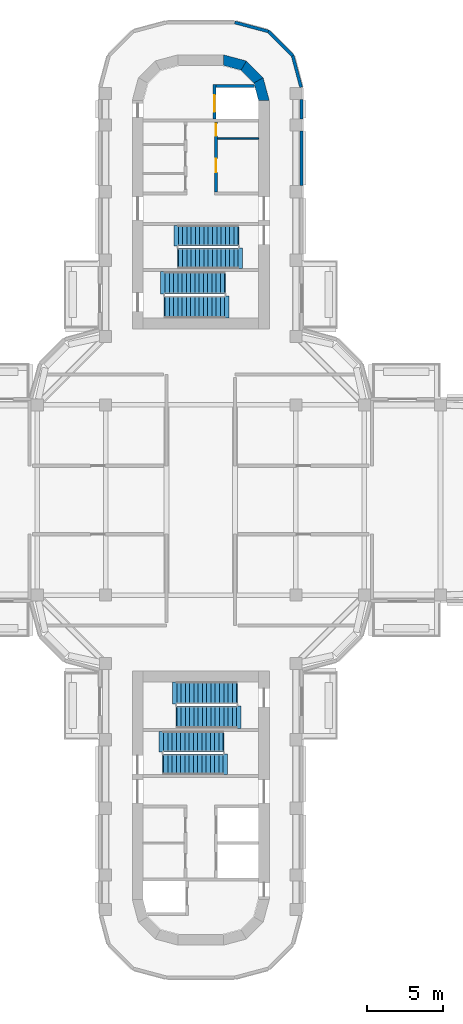
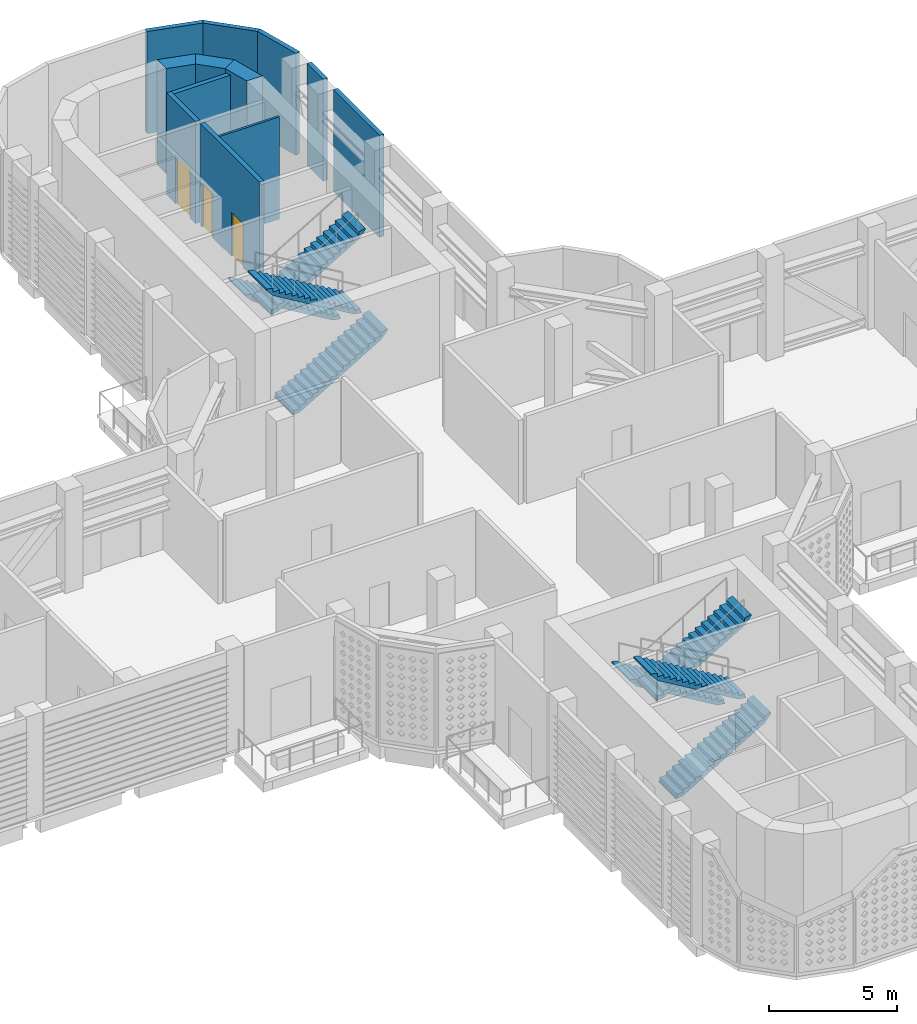
# One storey, part 8 of 21: 12 walls, 8 stair flights, 3 doors, 3 openings, 4 elements without a shape of their own.
"""IFC4 building model written with IfcOpenShell, lengths in metres."""

from ifc_helpers import new_model, si_unit, direction, frame, frame_2d, origin, place, context, subcontext, project, spatial, polyline, rectangle, outline, extrude, material, layer, layer_set, type_object, element, fill, aggregate, save


model = new_model("IFC4")

# Units and contexts
model_context = context("Model", 3, precision=1e-05, world=origin(), true_north=direction((0.0, 1.0)))
body_context = subcontext(model_context, "Body", "Model", "MODEL_VIEW")
ifc_project = project(units=[si_unit("LENGTHUNIT", "METRE"), si_unit("AREAUNIT", "SQUARE_METRE"), si_unit("VOLUMEUNIT", "CUBIC_METRE"), si_unit("PLANEANGLEUNIT", "RADIAN"), si_unit("MASSUNIT", "GRAM", prefix="KILO")], contexts=[model_context])

# Site, building, storey
site_placement = place(None, origin())
site = spatial("IfcSite", under=ifc_project, at=site_placement, CompositionType="ELEMENT")
building_placement = place(site_placement, origin())
building = spatial("IfcBuilding", under=site, at=building_placement, Name="Zarbagh Exchange Tower", CompositionType="ELEMENT")
storey_placement = place(building_placement, frame((0.0, 0.0, 190.39990234375)))
storey = spatial("IfcBuildingStorey", under=building, at=storey_placement, Name="L46", CompositionType="ELEMENT", Elevation=190.39990234375)

# Walls
ifc_material_1 = material(Name="Dense blockwork", Category="masonry")
ifc_layer_1 = layer(ifc_material_1, 0.10009765625)
ifc_layer_set_1 = layer_set([ifc_layer_1], Name="Core partition 100 mm blockwork")
wall_type_1 = type_object("IfcWallType", Name="Core partition 100 mm blockwork", PredefinedType="PARTITIONING", material=ifc_layer_set_1)
wall_1_placement = place(storey_placement, frame((1.10009765625, 23.75, 0.0), z_axis=(0.0, 0.0, 1.0), x_axis=(1.0, 0.0, 0.0)))
element("IfcWall", 1, at=wall_1_placement, inside=storey, type_object=wall_type_1, Name="North core partition wall CUT-E-460", PredefinedType="PARTITIONING", context=body_context, shape_type="SweptSolid", body=[
    extrude(rectangle(XDim=2.699951171875, YDim=0.10009765625, at=frame_2d((1.35009765625, 0.0))), origin(), (0.0, 0.0, 1.0), 4.85009765625),
])
ifc_material_2 = material(Name="Precast concrete C50/60", Category="concrete")
ifc_layer_2 = layer(ifc_material_2, 0.199951171875)
ifc_layer_set_2 = layer_set([ifc_layer_2], Name="Plant wall, precast concrete C50/60")
wall_type_2 = type_object("IfcWallType", Name="Plant wall, precast concrete C50/60", PredefinedType="SOLIDWALL", material=ifc_layer_set_2)
wall_2_placement = place(storey_placement, origin())
element("IfcWall", 2, at=wall_2_placement, inside=storey, type_object=wall_type_2, Name="PW58 plant wall", PredefinedType="SOLIDWALL", context=body_context, shape_type="SweptSolid", body=[
    extrude(outline(polyline([(6.72998046875, 20.64990234375), (6.72998046875, 24.25), (6.530029296875, 24.25), (6.530029296875, 20.64990234375), (6.72998046875, 20.64990234375)])), origin(), (0.0, 0.0, 1.0), 4.85009765625),
])
wall_3_placement = place(storey_placement, origin())
element("IfcWall", 3, at=wall_3_placement, inside=storey, type_object=wall_type_2, Name="PW58 plant wall", PredefinedType="SOLIDWALL", context=body_context, shape_type="SweptSolid", body=[
    extrude(outline(polyline([(6.72998046875, 25.050048828125), (6.72998046875, 26.300048828125), (6.530029296875, 26.300048828125), (6.530029296875, 25.050048828125), (6.72998046875, 25.050048828125)])), origin(), (0.0, 0.0, 1.0), 4.85009765625),
])
wall_4_placement = place(storey_placement, origin())
element("IfcWall", 4, at=wall_4_placement, inside=storey, type_object=wall_type_2, Name="PW59 plant wall", PredefinedType="SOLIDWALL", context=body_context, shape_type="SweptSolid", body=[
    extrude(outline(polyline([(6.6884765625, 27.15234375), (6.129150390625, 29.23974609375), (5.949951171875, 29.13623046875), (6.495361328125, 27.1005859375), (6.6884765625, 27.15234375)])), origin(), (0.0, 0.0, 1.0), 4.85009765625),
])
wall_5_placement = place(storey_placement, origin())
element("IfcWall", 5, at=wall_5_placement, inside=storey, type_object=wall_type_2, Name="PW60 plant wall", PredefinedType="SOLIDWALL", context=body_context, shape_type="SweptSolid", body=[
    extrude(outline(polyline([(6.129150390625, 29.23974609375), (4.48974609375, 30.879150390625), (4.38623046875, 30.699951171875), (5.949951171875, 29.13623046875), (6.129150390625, 29.23974609375)])), origin(), (0.0, 0.0, 1.0), 4.85009765625),
])
wall_6_placement = place(storey_placement, origin())
element("IfcWall", 6, at=wall_6_placement, inside=storey, type_object=wall_type_2, Name="PW61 plant wall", PredefinedType="SOLIDWALL", context=body_context, shape_type="SweptSolid", body=[
    extrude(outline(polyline([(4.48974609375, 30.879150390625), (2.247314453125, 31.47998046875), (2.220947265625, 31.280029296875), (4.38623046875, 30.699951171875), (4.48974609375, 30.879150390625)])), origin(), (0.0, 0.0, 1.0), 4.85009765625),
])
ifc_material_3 = material(Name="Concrete C50/60", Category="concrete")
ifc_layer_3 = layer(ifc_material_3, 0.699951171875)
ifc_layer_set_3 = layer_set([ifc_layer_3], Name="RC core corner wall 700 C50/60")
wall_type_3 = type_object("IfcWallType", Name="RC core corner wall 700 C50/60", PredefinedType="SHEAR", material=ifc_layer_set_3)
wall_7_placement = place(storey_placement, origin())
element("IfcWall", 7, at=wall_7_placement, inside=storey, type_object=wall_type_3, Name="CW6 core N corner E", PredefinedType="SHEAR", context=body_context, shape_type="SweptSolid", body=[
    extrude(outline(polyline([(4.5, 26.25), (4.09814453125, 27.75), (3.491943359375, 27.39990234375), (3.800048828125, 26.25), (4.5, 26.25)])), origin(), (0.0, 0.0, 1.0), 5.0),
])
wall_8_placement = place(storey_placement, origin())
element("IfcWall", 8, at=wall_8_placement, inside=storey, type_object=wall_type_3, Name="CW6 core N corner E", PredefinedType="SHEAR", context=body_context, shape_type="SweptSolid", body=[
    extrude(outline(polyline([(4.09814453125, 27.75), (3.0, 28.84814453125), (2.64990234375, 28.241943359375), (3.491943359375, 27.39990234375), (4.09814453125, 27.75)])), origin(), (0.0, 0.0, 1.0), 5.0),
])
wall_9_placement = place(storey_placement, origin())
element("IfcWall", 9, at=wall_9_placement, inside=storey, type_object=wall_type_3, Name="CW6 core N corner E", PredefinedType="SHEAR", context=body_context, shape_type="SweptSolid", body=[
    extrude(outline(polyline([(3.0, 28.84814453125), (1.5, 29.25), (1.5, 28.550048828125), (2.64990234375, 28.241943359375), (3.0, 28.84814453125)])), origin(), (0.0, 0.0, 1.0), 5.0),
])

# Wall, openings, doors
ifc_layer_4 = layer(ifc_material_1, 0.199951171875)
ifc_layer_set_4 = layer_set([ifc_layer_4], Name="Shaft wall 200 mm blockwork")
wall_type_4 = type_object("IfcWallType", Name="Shaft wall 200 mm blockwork", PredefinedType="PARTITIONING", material=ifc_layer_set_4)
wall_10_placement = place(storey_placement, frame((1.0, 24.85009765625, 0.0), z_axis=(0.0, 0.0, 1.0), x_axis=(0.0, -1.0, 0.0)))
wall_10 = element("IfcWall", 10, at=wall_10_placement, inside=storey, type_object=wall_type_4, Name="North core shaft wall LW-E", PredefinedType="PARTITIONING", context=body_context, shape_type="SweptSolid", body=[
    extrude(rectangle(XDim=4.60009765625, YDim=0.199951171875, at=frame_2d((2.300048828125, 0.0))), origin(), (0.0, 0.0, 1.0), 4.85009765625),
])
opening_1_placement = place(wall_10_placement, frame((0.125, 0.0, 0.0)))
opening_1 = element("IfcOpeningElement", 11, at=opening_1_placement, cuts=wall_10, Name="Opening CD3-800", PredefinedType="OPENING", context=body_context, shape_type="SweptSolid", body=[
    extrude(rectangle(XDim=0.800048828125, YDim=2.10009765625, at=frame_2d((0.39990234375, 1.050048828125))), frame((0.0, 0.10986328125, 0.0), z_axis=(0.0, -1.0, 0.0), x_axis=(1.0, 0.0, 0.0)), (0.0, 0.0, 1.0), 0.219970703125),
])
opening_2_placement = place(wall_10_placement, frame((2.425048828125, 0.0, 0.0)))
opening_2 = element("IfcOpeningElement", 12, at=opening_2_placement, cuts=wall_10, Name="Opening CD3-900", PredefinedType="OPENING", context=body_context, shape_type="SweptSolid", body=[
    extrude(rectangle(XDim=0.89990234375, YDim=2.10009765625, at=frame_2d((0.449951171875, 1.050048828125))), frame((0.0, 0.10986328125, 0.0), z_axis=(0.0, -1.0, 0.0), x_axis=(1.0, 0.0, 0.0)), (0.0, 0.0, 1.0), 0.219970703125),
])
ifc_material_4 = material(Name="Steel", Category="steel")
door_type_1 = type_object("IfcDoorType", Name="Core room door 800 x 2100", OperationType="NOTDEFINED", PredefinedType="DOOR", material=ifc_material_4)
door_1_placement = place(opening_1_placement, origin())
door_1 = element("IfcDoor", 13, at=door_1_placement, inside=storey, type_object=door_type_1, Name="North core Plant room door RD-E-0", OperationType="SINGLE_SWING_LEFT", OverallHeight=2.10009765625, OverallWidth=0.800048828125, PredefinedType="DOOR", context=body_context, shape_type="SweptSolid", body=[
    extrude(rectangle(XDim=0.800048828125, YDim=2.10009765625, at=frame_2d((0.39990234375, 1.050048828125))), frame((0.0, 0.02490234375, 0.0), z_axis=(0.0, -1.0, 0.0), x_axis=(1.0, 0.0, 0.0)), (0.0, 0.0, 1.0), 0.050048828125),
])
fill(opening_1, door_1)
door_type_2 = type_object("IfcDoorType", Name="Core room door 900 x 2100", OperationType="NOTDEFINED", PredefinedType="DOOR", material=ifc_material_4)
door_2_placement = place(opening_2_placement, origin())
door_2 = element("IfcDoor", 14, at=door_2_placement, inside=storey, type_object=door_type_2, Name="North core Mechanical store door RD-E-1", OperationType="SINGLE_SWING_RIGHT", OverallHeight=2.10009765625, OverallWidth=0.89990234375, PredefinedType="DOOR", context=body_context, shape_type="SweptSolid", body=[
    extrude(rectangle(XDim=0.89990234375, YDim=2.10009765625, at=frame_2d((0.449951171875, 1.050048828125))), frame((0.0, 0.02490234375, 0.0), z_axis=(0.0, -1.0, 0.0), x_axis=(1.0, 0.0, 0.0)), (0.0, 0.0, 1.0), 0.050048828125),
])
fill(opening_2, door_2)

# Wall, opening, door
ifc_material_5 = material(Name="Concrete C40/50", Category="concrete")
ifc_layer_5 = layer(ifc_material_5, 0.199951171875)
ifc_layer_set_5 = layer_set([ifc_layer_5], Name="Stair enclosure wall 200 mm RC C40/50")
wall_type_5 = type_object("IfcWallType", Name="Stair enclosure wall 200 mm RC C40/50", PredefinedType="SHEAR", material=ifc_layer_set_5)
wall_11_placement = place(storey_placement, frame((0.89990234375, 27.300048828125, 0.0), z_axis=(0.0, 0.0, 1.0), x_axis=(0.0, -1.0, 0.0)))
wall_11 = element("IfcWall", 15, at=wall_11_placement, inside=storey, type_object=wall_type_5, Name="North core lift shaft wall FFL", PredefinedType="SHEAR", context=body_context, shape_type="SweptSolid", body=[
    extrude(rectangle(XDim=2.25, YDim=0.199951171875, at=frame_2d((1.125, 0.0))), origin(), (0.0, 0.0, 1.0), 4.85009765625),
])
opening_3_placement = place(wall_11_placement, frame((0.699951171875, 0.0, 0.0)))
opening_3 = element("IfcOpeningElement", 16, at=opening_3_placement, cuts=wall_11, Name="Opening LD-1100", PredefinedType="OPENING", context=body_context, shape_type="SweptSolid", body=[
    extrude(rectangle(XDim=1.10009765625, YDim=2.300048828125, at=frame_2d((0.550048828125, 1.14990234375))), frame((0.0, 0.10986328125, 0.0), z_axis=(0.0, -1.0, 0.0), x_axis=(1.0, 0.0, 0.0)), (0.0, 0.0, 1.0), 0.219970703125),
])
ifc_material_6 = material(Name="Stainless steel", Category="steel")
door_type_3 = type_object("IfcDoorType", Name="Lift landing door 1100 x 2300", OperationType="NOTDEFINED", PredefinedType="DOOR", material=ifc_material_6)
door_3_placement = place(opening_3_placement, origin())
door_3 = element("IfcDoor", 17, at=door_3_placement, inside=storey, type_object=door_type_3, Name="North core lift landing door LD-F", OperationType="DOUBLE_DOOR_SLIDING", OverallHeight=2.300048828125, OverallWidth=1.10009765625, PredefinedType="DOOR", context=body_context, shape_type="SweptSolid", body=[
    extrude(rectangle(XDim=1.10009765625, YDim=2.300048828125, at=frame_2d((0.550048828125, 1.14990234375))), frame((0.0, 0.02490234375, 0.0), z_axis=(0.0, -1.0, 0.0), x_axis=(1.0, 0.0, 0.0)), (0.0, 0.0, 1.0), 0.050048828125),
])
fill(opening_3, door_3)

# Wall
wall_12_placement = place(storey_placement, origin())
element("IfcWall", 18, at=wall_12_placement, inside=storey, type_object=wall_type_5, Name="North core lift shaft wall FFX", PredefinedType="SHEAR", context=body_context, shape_type="SweptSolid", body=[
    extrude(outline(polyline([(1.0, 27.10009765625), (3.547607421875, 27.10009765625), (3.493896484375, 27.300048828125), (1.0, 27.300048828125), (1.0, 27.10009765625)])), origin(), (0.0, 0.0, 1.0), 4.85009765625),
])

# Stair, stair flights
stair_type = type_object("IfcStairType", Name="Exit stair two-flight half-turn", PredefinedType="HALF_TURN_STAIR", material=ifc_material_5)
stair_1_placement = place(storey_placement, origin())
stair_1 = element("IfcStair", 19, at=stair_1_placement, inside=storey, type_object=stair_type, Name="exit stair ST1", PredefinedType="HALF_TURN_STAIR")
stair_flight_type_1 = type_object("IfcStairFlightType", Name="Stair flight 1350 mm", PredefinedType="STRAIGHT", material=ifc_material_5)
stair_flight_1_placement = place(storey_placement, frame((2.449951171875, 17.375, 0.0), z_axis=(0.0, 0.0, 1.0), x_axis=(-1.0, 0.0, 0.0)))
stair_flight_1 = element("IfcStairFlight", 20, at=stair_flight_1_placement, type_object=stair_flight_type_1, Name="ST1 flight 1", NumberOfRisers=15, NumberOfTreads=14, PredefinedType="STRAIGHT", RiserHeight=0.166666667, TreadLength=0.28, context=body_context, shape_type="SweptSolid", body=[
    extrude(outline(polyline([(-0.050048828125, -0.050048828125), (-0.050048828125, 0.0), (0.0, 0.0), (0.0, 0.166748046875), (0.280029296875, 0.166748046875), (0.280029296875, 0.333251953125), (0.56005859375, 0.333251953125), (0.56005859375, 0.5), (0.840087890625, 0.5), (0.840087890625, 0.666748046875), (1.1201171875, 0.666748046875), (1.1201171875, 0.833251953125), (1.39990234375, 0.833251953125), (1.39990234375, 1.0), (1.679931640625, 1.0), (1.679931640625, 1.166748046875), (1.9599609375, 1.166748046875), (1.9599609375, 1.333251953125), (2.239990234375, 1.333251953125), (2.239990234375, 1.5), (2.52001953125, 1.5), (2.52001953125, 1.666748046875), (2.800048828125, 1.666748046875), (2.800048828125, 1.833251953125), (3.080078125, 1.833251953125), (3.080078125, 2.0), (3.360107421875, 2.0), (3.360107421875, 2.166748046875), (3.639892578125, 2.166748046875), (3.639892578125, 2.333251953125), (3.919921875, 2.333251953125), (3.919921875, 2.5), (4.219970703125, 2.580078125), (4.219970703125, 2.5), (3.919921875, 2.158935546875), (0.29296875, 0.0), (-0.050048828125, -0.050048828125)])), frame((0.0, 0.675048828125, 0.0), z_axis=(0.0, -1.0, 0.0), x_axis=(1.0, 0.0, 0.0)), (0.0, 0.0, 1.0), 1.35009765625),
])
stair_flight_2_placement = place(storey_placement, frame((-1.469970703125, 15.875, 2.5), z_axis=(0.0, 0.0, 1.0), x_axis=(1.0, 0.0, 0.0)))
stair_flight_2 = element("IfcStairFlight", 21, at=stair_flight_2_placement, type_object=stair_flight_type_1, Name="ST1 flight 2", NumberOfRisers=15, NumberOfTreads=14, PredefinedType="STRAIGHT", RiserHeight=0.166666667, TreadLength=0.28, context=body_context, shape_type="SweptSolid", body=[
    extrude(outline(polyline([(-0.050048828125, -0.050048828125), (-0.050048828125, 0.0), (0.0, 0.0), (0.0, 0.166748046875), (0.280029296875, 0.166748046875), (0.280029296875, 0.333251953125), (0.56005859375, 0.333251953125), (0.56005859375, 0.5), (0.840087890625, 0.5), (0.840087890625, 0.666748046875), (1.1201171875, 0.666748046875), (1.1201171875, 0.833251953125), (1.39990234375, 0.833251953125), (1.39990234375, 1.0), (1.679931640625, 1.0), (1.679931640625, 1.166748046875), (1.9599609375, 1.166748046875), (1.9599609375, 1.333251953125), (2.239990234375, 1.333251953125), (2.239990234375, 1.5), (2.52001953125, 1.5), (2.52001953125, 1.666748046875), (2.800048828125, 1.666748046875), (2.800048828125, 1.833251953125), (3.080078125, 1.833251953125), (3.080078125, 2.0), (3.360107421875, 2.0), (3.360107421875, 2.166748046875), (3.639892578125, 2.166748046875), (3.639892578125, 2.333251953125), (3.919921875, 2.333251953125), (3.919921875, 2.5), (4.219970703125, 2.580078125), (4.219970703125, 2.5), (3.919921875, 2.158935546875), (0.29296875, 0.0), (-0.050048828125, -0.050048828125)])), frame((0.0, 0.675048828125, 0.0), z_axis=(0.0, -1.0, 0.0), x_axis=(1.0, 0.0, 0.0)), (0.0, 0.0, 1.0), 1.35009765625),
])
aggregate(stair_1, [stair_flight_1, stair_flight_2])

stair_2_placement = place(storey_placement, origin())
stair_2 = element("IfcStair", 22, at=stair_2_placement, inside=storey, type_object=stair_type, Name="exit stair ST3", PredefinedType="HALF_TURN_STAIR")
stair_flight_3_placement = place(storey_placement, frame((-2.449951171875, -17.375, 0.0), z_axis=(0.0, 0.0, 1.0), x_axis=(1.0, 0.0, 0.0)))
stair_flight_3 = element("IfcStairFlight", 23, at=stair_flight_3_placement, type_object=stair_flight_type_1, Name="ST3 flight 1", NumberOfRisers=15, NumberOfTreads=14, PredefinedType="STRAIGHT", RiserHeight=0.166666667, TreadLength=0.28, context=body_context, shape_type="SweptSolid", body=[
    extrude(outline(polyline([(-0.050048828125, -0.050048828125), (-0.050048828125, 0.0), (0.0, 0.0), (0.0, 0.166748046875), (0.280029296875, 0.166748046875), (0.280029296875, 0.333251953125), (0.56005859375, 0.333251953125), (0.56005859375, 0.5), (0.840087890625, 0.5), (0.840087890625, 0.666748046875), (1.1201171875, 0.666748046875), (1.1201171875, 0.833251953125), (1.39990234375, 0.833251953125), (1.39990234375, 1.0), (1.679931640625, 1.0), (1.679931640625, 1.166748046875), (1.9599609375, 1.166748046875), (1.9599609375, 1.333251953125), (2.239990234375, 1.333251953125), (2.239990234375, 1.5), (2.52001953125, 1.5), (2.52001953125, 1.666748046875), (2.800048828125, 1.666748046875), (2.800048828125, 1.833251953125), (3.080078125, 1.833251953125), (3.080078125, 2.0), (3.360107421875, 2.0), (3.360107421875, 2.166748046875), (3.639892578125, 2.166748046875), (3.639892578125, 2.333251953125), (3.919921875, 2.333251953125), (3.919921875, 2.5), (4.219970703125, 2.580078125), (4.219970703125, 2.5), (3.919921875, 2.158935546875), (0.29296875, 0.0), (-0.050048828125, -0.050048828125)])), frame((0.0, 0.675048828125, 0.0), z_axis=(0.0, -1.0, 0.0), x_axis=(1.0, 0.0, 0.0)), (0.0, 0.0, 1.0), 1.35009765625),
])
stair_flight_4_placement = place(storey_placement, frame((1.469970703125, -15.875, 2.5), z_axis=(0.0, 0.0, 1.0), x_axis=(-1.0, 0.0, 0.0)))
stair_flight_4 = element("IfcStairFlight", 24, at=stair_flight_4_placement, type_object=stair_flight_type_1, Name="ST3 flight 2", NumberOfRisers=15, NumberOfTreads=14, PredefinedType="STRAIGHT", RiserHeight=0.166666667, TreadLength=0.28, context=body_context, shape_type="SweptSolid", body=[
    extrude(outline(polyline([(-0.050048828125, -0.050048828125), (-0.050048828125, 0.0), (0.0, 0.0), (0.0, 0.166748046875), (0.280029296875, 0.166748046875), (0.280029296875, 0.333251953125), (0.56005859375, 0.333251953125), (0.56005859375, 0.5), (0.840087890625, 0.5), (0.840087890625, 0.666748046875), (1.1201171875, 0.666748046875), (1.1201171875, 0.833251953125), (1.39990234375, 0.833251953125), (1.39990234375, 1.0), (1.679931640625, 1.0), (1.679931640625, 1.166748046875), (1.9599609375, 1.166748046875), (1.9599609375, 1.333251953125), (2.239990234375, 1.333251953125), (2.239990234375, 1.5), (2.52001953125, 1.5), (2.52001953125, 1.666748046875), (2.800048828125, 1.666748046875), (2.800048828125, 1.833251953125), (3.080078125, 1.833251953125), (3.080078125, 2.0), (3.360107421875, 2.0), (3.360107421875, 2.166748046875), (3.639892578125, 2.166748046875), (3.639892578125, 2.333251953125), (3.919921875, 2.333251953125), (3.919921875, 2.5), (4.219970703125, 2.580078125), (4.219970703125, 2.5), (3.919921875, 2.158935546875), (0.29296875, 0.0), (-0.050048828125, -0.050048828125)])), frame((0.0, 0.675048828125, 0.0), z_axis=(0.0, -1.0, 0.0), x_axis=(1.0, 0.0, 0.0)), (0.0, 0.0, 1.0), 1.35009765625),
])
aggregate(stair_2, [stair_flight_3, stair_flight_4])

stair_3_placement = place(storey_placement, origin())
stair_3 = element("IfcStair", 25, at=stair_3_placement, inside=storey, type_object=stair_type, Name="exit stair ST2", PredefinedType="HALF_TURN_STAIR")
stair_flight_type_2 = type_object("IfcStairFlightType", Name="Stair flight 1450 mm", PredefinedType="STRAIGHT", material=ifc_material_5)
stair_flight_5_placement = place(storey_placement, frame((-2.35009765625, 12.675048828125, 0.0), z_axis=(0.0, 0.0, 1.0), x_axis=(1.0, 0.0, 0.0)))
stair_flight_5 = element("IfcStairFlight", 26, at=stair_flight_5_placement, type_object=stair_flight_type_2, Name="ST2 flight 1", NumberOfRisers=15, NumberOfTreads=14, PredefinedType="STRAIGHT", RiserHeight=0.166666667, TreadLength=0.28, context=body_context, shape_type="SweptSolid", body=[
    extrude(outline(polyline([(-0.050048828125, -0.050048828125), (-0.050048828125, 0.0), (0.0, 0.0), (0.0, 0.166748046875), (0.280029296875, 0.166748046875), (0.280029296875, 0.333251953125), (0.56005859375, 0.333251953125), (0.56005859375, 0.5), (0.840087890625, 0.5), (0.840087890625, 0.666748046875), (1.1201171875, 0.666748046875), (1.1201171875, 0.833251953125), (1.39990234375, 0.833251953125), (1.39990234375, 1.0), (1.679931640625, 1.0), (1.679931640625, 1.166748046875), (1.9599609375, 1.166748046875), (1.9599609375, 1.333251953125), (2.239990234375, 1.333251953125), (2.239990234375, 1.5), (2.52001953125, 1.5), (2.52001953125, 1.666748046875), (2.800048828125, 1.666748046875), (2.800048828125, 1.833251953125), (3.080078125, 1.833251953125), (3.080078125, 2.0), (3.360107421875, 2.0), (3.360107421875, 2.166748046875), (3.639892578125, 2.166748046875), (3.639892578125, 2.333251953125), (3.919921875, 2.333251953125), (3.919921875, 2.5), (4.219970703125, 2.580078125), (4.219970703125, 2.5), (3.919921875, 2.158935546875), (0.29296875, 0.0), (-0.050048828125, -0.050048828125)])), frame((0.0, 0.72509765625, 0.0), z_axis=(0.0, -1.0, 0.0), x_axis=(1.0, 0.0, 0.0)), (0.0, 0.0, 1.0), 1.449951171875),
])
stair_flight_6_placement = place(storey_placement, frame((1.570068359375, 14.27490234375, 2.5), z_axis=(0.0, 0.0, 1.0), x_axis=(-1.0, 0.0, 0.0)))
stair_flight_6 = element("IfcStairFlight", 27, at=stair_flight_6_placement, type_object=stair_flight_type_2, Name="ST2 flight 2", NumberOfRisers=15, NumberOfTreads=14, PredefinedType="STRAIGHT", RiserHeight=0.166666667, TreadLength=0.28, context=body_context, shape_type="SweptSolid", body=[
    extrude(outline(polyline([(-0.050048828125, -0.050048828125), (-0.050048828125, 0.0), (0.0, 0.0), (0.0, 0.166748046875), (0.280029296875, 0.166748046875), (0.280029296875, 0.333251953125), (0.56005859375, 0.333251953125), (0.56005859375, 0.5), (0.840087890625, 0.5), (0.840087890625, 0.666748046875), (1.1201171875, 0.666748046875), (1.1201171875, 0.833251953125), (1.39990234375, 0.833251953125), (1.39990234375, 1.0), (1.679931640625, 1.0), (1.679931640625, 1.166748046875), (1.9599609375, 1.166748046875), (1.9599609375, 1.333251953125), (2.239990234375, 1.333251953125), (2.239990234375, 1.5), (2.52001953125, 1.5), (2.52001953125, 1.666748046875), (2.800048828125, 1.666748046875), (2.800048828125, 1.833251953125), (3.080078125, 1.833251953125), (3.080078125, 2.0), (3.360107421875, 2.0), (3.360107421875, 2.166748046875), (3.639892578125, 2.166748046875), (3.639892578125, 2.333251953125), (3.919921875, 2.333251953125), (3.919921875, 2.5), (4.219970703125, 2.580078125), (4.219970703125, 2.5), (3.919921875, 2.158935546875), (0.29296875, 0.0), (-0.050048828125, -0.050048828125)])), frame((0.0, 0.72509765625, 0.0), z_axis=(0.0, -1.0, 0.0), x_axis=(1.0, 0.0, 0.0)), (0.0, 0.0, 1.0), 1.449951171875),
])
aggregate(stair_3, [stair_flight_5, stair_flight_6])

stair_4_placement = place(storey_placement, origin())
stair_4 = element("IfcStair", 28, at=stair_4_placement, inside=storey, type_object=stair_type, Name="exit stair ST4", PredefinedType="HALF_TURN_STAIR")
stair_flight_7_placement = place(storey_placement, frame((2.35009765625, -12.675048828125, 0.0), z_axis=(0.0, 0.0, 1.0), x_axis=(-1.0, 0.0, 0.0)))
stair_flight_7 = element("IfcStairFlight", 29, at=stair_flight_7_placement, type_object=stair_flight_type_2, Name="ST4 flight 1", NumberOfRisers=15, NumberOfTreads=14, PredefinedType="STRAIGHT", RiserHeight=0.166666667, TreadLength=0.28, context=body_context, shape_type="SweptSolid", body=[
    extrude(outline(polyline([(-0.050048828125, -0.050048828125), (-0.050048828125, 0.0), (0.0, 0.0), (0.0, 0.166748046875), (0.280029296875, 0.166748046875), (0.280029296875, 0.333251953125), (0.56005859375, 0.333251953125), (0.56005859375, 0.5), (0.840087890625, 0.5), (0.840087890625, 0.666748046875), (1.1201171875, 0.666748046875), (1.1201171875, 0.833251953125), (1.39990234375, 0.833251953125), (1.39990234375, 1.0), (1.679931640625, 1.0), (1.679931640625, 1.166748046875), (1.9599609375, 1.166748046875), (1.9599609375, 1.333251953125), (2.239990234375, 1.333251953125), (2.239990234375, 1.5), (2.52001953125, 1.5), (2.52001953125, 1.666748046875), (2.800048828125, 1.666748046875), (2.800048828125, 1.833251953125), (3.080078125, 1.833251953125), (3.080078125, 2.0), (3.360107421875, 2.0), (3.360107421875, 2.166748046875), (3.639892578125, 2.166748046875), (3.639892578125, 2.333251953125), (3.919921875, 2.333251953125), (3.919921875, 2.5), (4.219970703125, 2.580078125), (4.219970703125, 2.5), (3.919921875, 2.158935546875), (0.29296875, 0.0), (-0.050048828125, -0.050048828125)])), frame((0.0, 0.72509765625, 0.0), z_axis=(0.0, -1.0, 0.0), x_axis=(1.0, 0.0, 0.0)), (0.0, 0.0, 1.0), 1.449951171875),
])
stair_flight_8_placement = place(storey_placement, frame((-1.570068359375, -14.27490234375, 2.5), z_axis=(0.0, 0.0, 1.0), x_axis=(1.0, 0.0, 0.0)))
stair_flight_8 = element("IfcStairFlight", 30, at=stair_flight_8_placement, type_object=stair_flight_type_2, Name="ST4 flight 2", NumberOfRisers=15, NumberOfTreads=14, PredefinedType="STRAIGHT", RiserHeight=0.166666667, TreadLength=0.28, context=body_context, shape_type="SweptSolid", body=[
    extrude(outline(polyline([(-0.050048828125, -0.050048828125), (-0.050048828125, 0.0), (0.0, 0.0), (0.0, 0.166748046875), (0.280029296875, 0.166748046875), (0.280029296875, 0.333251953125), (0.56005859375, 0.333251953125), (0.56005859375, 0.5), (0.840087890625, 0.5), (0.840087890625, 0.666748046875), (1.1201171875, 0.666748046875), (1.1201171875, 0.833251953125), (1.39990234375, 0.833251953125), (1.39990234375, 1.0), (1.679931640625, 1.0), (1.679931640625, 1.166748046875), (1.9599609375, 1.166748046875), (1.9599609375, 1.333251953125), (2.239990234375, 1.333251953125), (2.239990234375, 1.5), (2.52001953125, 1.5), (2.52001953125, 1.666748046875), (2.800048828125, 1.666748046875), (2.800048828125, 1.833251953125), (3.080078125, 1.833251953125), (3.080078125, 2.0), (3.360107421875, 2.0), (3.360107421875, 2.166748046875), (3.639892578125, 2.166748046875), (3.639892578125, 2.333251953125), (3.919921875, 2.333251953125), (3.919921875, 2.5), (4.219970703125, 2.580078125), (4.219970703125, 2.5), (3.919921875, 2.158935546875), (0.29296875, 0.0), (-0.050048828125, -0.050048828125)])), frame((0.0, 0.72509765625, 0.0), z_axis=(0.0, -1.0, 0.0), x_axis=(1.0, 0.0, 0.0)), (0.0, 0.0, 1.0), 1.449951171875),
])
aggregate(stair_4, [stair_flight_7, stair_flight_8])

save(model, "model.ifc")
